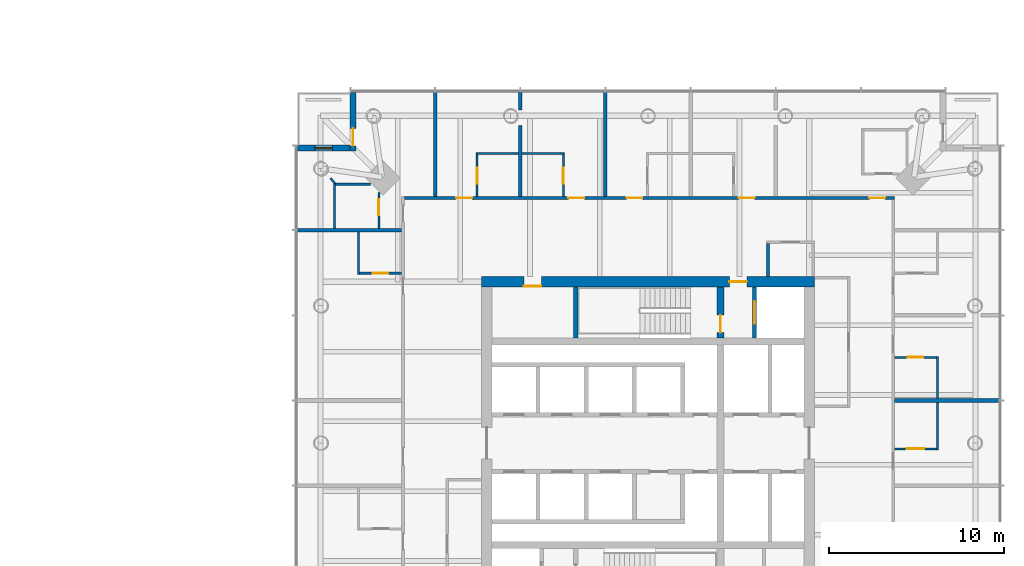
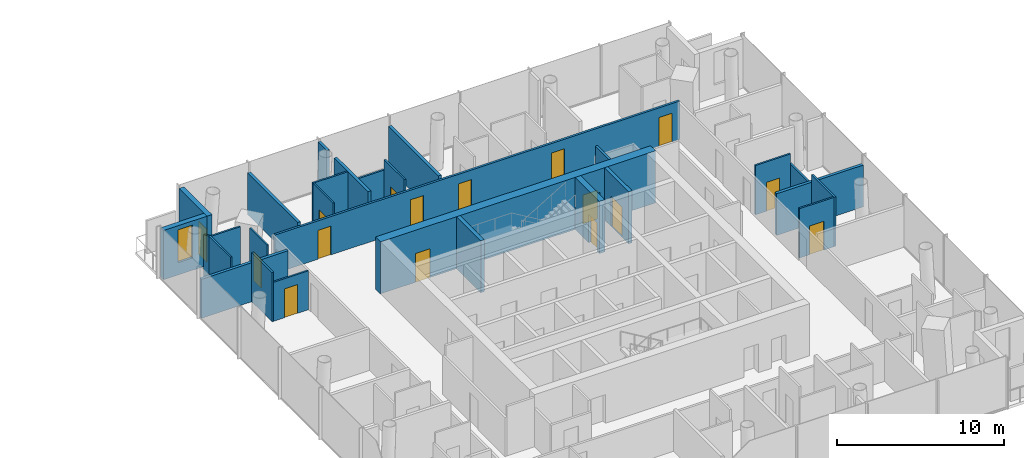
# One storey, part 16 of 20: 28 walls, 16 doors, 1 window, 17 openings.
"""IFC4 building model written with IfcOpenShell, lengths in metres."""

from ifc_helpers import new_model, si_unit, direction, frame, frame_2d, origin, place, context, subcontext, project, spatial, rectangle, extrude, material, layer, layer_set, type_object, element, fill, save


model = new_model("IFC4")

# Units and contexts
model_context = context("Model", 3, precision=1e-05, world=origin(), true_north=direction((0.0, 1.0)))
body_context = subcontext(model_context, "Body", "Model", "MODEL_VIEW")
ifc_project = project(units=[si_unit("LENGTHUNIT", "METRE"), si_unit("AREAUNIT", "SQUARE_METRE"), si_unit("VOLUMEUNIT", "CUBIC_METRE"), si_unit("PLANEANGLEUNIT", "RADIAN"), si_unit("MASSUNIT", "GRAM", prefix="KILO")], contexts=[model_context])

# Site, building, storey
site_placement = place(None, origin())
site = spatial("IfcSite", under=ifc_project, at=site_placement, CompositionType="ELEMENT")
building_placement = place(site_placement, origin())
building = spatial("IfcBuilding", under=site, at=building_placement, Name="Ostroluk Exchange", CompositionType="ELEMENT")
storey_placement = place(building_placement, frame((0.0, 0.0, 28.60009765625)))
storey = spatial("IfcBuildingStorey", under=building, at=storey_placement, Name="L06", CompositionType="ELEMENT", Elevation=28.60009765625)

# Wall, opening, door
ifc_material_1 = material(Name="Concrete C50/60", Category="concrete")
ifc_layer_1 = layer(ifc_material_1, 0.39990234375)
ifc_layer_set_1 = layer_set([ifc_layer_1], Name="Core cross wall 400 C50/60")
wall_type_1 = type_object("IfcWallType", Name="Core cross wall 400 C50/60", PredefinedType="SHEAR", material=ifc_layer_set_1)
wall_1_placement = place(storey_placement, frame((121.1298828125, 52.0, 0.0), z_axis=(0.0, 0.0, 1.0), x_axis=(0.0, 1.0, 0.0)))
wall_1 = element("IfcWall", 1, at=wall_1_placement, inside=storey, type_object=wall_type_1, Name="T2 core wall YE3", PredefinedType="SHEAR", context=body_context, shape_type="SweptSolid", body=[
    extrude(rectangle(XDim=2.89990234375, YDim=0.39990234375, at=frame_2d((1.449951171875, 0.0))), origin(), (0.0, 0.0, 1.0), 3.7998046875),
])
opening_1_placement = place(wall_1_placement, frame((0.300048828125, 0.0, 0.0)))
opening_1 = element("IfcOpeningElement", 2, at=opening_1_placement, cuts=wall_1, Name="Opening FD60", PredefinedType="OPENING", context=body_context, shape_type="SweptSolid", body=[
    extrude(rectangle(XDim=1.0, YDim=2.10009765625, at=frame_2d((0.5, 1.050048828125))), frame((0.0, 0.2099609375, 0.0), z_axis=(0.0, -1.0, 0.0), x_axis=(1.0, 0.0, 0.0)), (0.0, 0.0, 1.0), 0.419921875),
])
ifc_material_2 = material(Name="Steel", Category="steel")
door_type_1 = type_object("IfcDoorType", Name="Fire door EI 60 1000 x 2100", OperationType="SINGLE_SWING_LEFT", PredefinedType="DOOR", material=ifc_material_2)
door_1_placement = place(opening_1_placement, origin())
door_1 = element("IfcDoor", 3, at=door_1_placement, inside=storey, type_object=door_type_1, Name="Stair T2-S2 door", OperationType="SINGLE_SWING_LEFT", OverallHeight=2.10009765625, OverallWidth=1.0, PredefinedType="DOOR", context=body_context, shape_type="SweptSolid", body=[
    extrude(rectangle(XDim=1.0, YDim=2.10009765625, at=frame_2d((0.5, 1.050048828125))), frame((0.0, 0.02490234375, 0.0), z_axis=(0.0, -1.0, 0.0), x_axis=(1.0, 0.0, 0.0)), (0.0, 0.0, 1.0), 0.050048828125),
])
fill(opening_1, door_1)

# Wall
ifc_material_3 = material(Name="Concrete C40/50", Category="concrete")
ifc_layer_2 = layer(ifc_material_3, 0.25)
ifc_layer_set_2 = layer_set([ifc_layer_2], Name="Core shaft wall 250")
wall_type_2 = type_object("IfcWallType", Name="Core shaft wall 250", PredefinedType="SHEAR", material=ifc_layer_set_2)
wall_2_placement = place(storey_placement, frame((112.875, 52.0, 0.0), z_axis=(0.0, 0.0, 1.0), x_axis=(0.0, 1.0, 0.0)))
element("IfcWall", 4, at=wall_2_placement, inside=storey, type_object=wall_type_2, Name="Stair shaft wall", PredefinedType="SHEAR", context=body_context, shape_type="SweptSolid", body=[
    extrude(rectangle(XDim=2.89990234375, YDim=0.25, at=frame_2d((1.449951171875, 0.0))), origin(), (0.0, 0.0, 1.0), 3.7998046875),
])

# Wall, opening, door
wall_3_placement = place(storey_placement, frame((123.074951171875, 52.0, 0.0), z_axis=(0.0, 0.0, 1.0), x_axis=(0.0, 1.0, 0.0)))
wall_3 = element("IfcWall", 5, at=wall_3_placement, inside=storey, type_object=wall_type_2, Name="Firefighting lift shaft wall", PredefinedType="SHEAR", context=body_context, shape_type="SweptSolid", body=[
    extrude(rectangle(XDim=2.89990234375, YDim=0.25, at=frame_2d((1.449951171875, 0.0))), origin(), (0.0, 0.0, 1.0), 3.7998046875),
])
opening_2_placement = place(wall_3_placement, frame((0.800048828125, 0.0, 0.0)))
opening_2 = element("IfcOpeningElement", 6, at=opening_2_placement, cuts=wall_3, Name="Opening LD2", PredefinedType="OPENING", context=body_context, shape_type="SweptSolid", body=[
    extrude(rectangle(XDim=1.300048828125, YDim=2.199951171875, at=frame_2d((0.64990234375, 1.10009765625))), frame((0.0, 0.135009765625, 0.0), z_axis=(0.0, -1.0, 0.0), x_axis=(1.0, 0.0, 0.0)), (0.0, 0.0, 1.0), 0.27001953125),
])
ifc_material_4 = material(Name="Stainless steel", Category="steel")
door_type_2 = type_object("IfcDoorType", Name="Lift landing door E 60 1300 x 2200", OperationType="DOUBLE_DOOR_SLIDING", PredefinedType="DOOR", material=ifc_material_4)
door_2_placement = place(opening_2_placement, origin())
door_2 = element("IfcDoor", 7, at=door_2_placement, inside=storey, type_object=door_type_2, Name="Lift HF2 landing door", OperationType="DOUBLE_DOOR_SLIDING", OverallHeight=2.199951171875, OverallWidth=1.300048828125, PredefinedType="DOOR", context=body_context, shape_type="SweptSolid", body=[
    extrude(rectangle(XDim=1.300048828125, YDim=2.199951171875, at=frame_2d((0.64990234375, 1.10009765625))), frame((0.0, 0.02490234375, 0.0), z_axis=(0.0, -1.0, 0.0), x_axis=(1.0, 0.0, 0.0)), (0.0, 0.0, 1.0), 0.050048828125),
])
fill(opening_2, door_2)

# Wall, openings, doors
ifc_material_5 = material(Name="Concrete C50/60", Category="concrete")
ifc_layer_3 = layer(ifc_material_5, 0.60009765625)
ifc_layer_set_3 = layer_set([ifc_layer_3], Name="Core wall 600 C50/60")
wall_type_3 = type_object("IfcWallType", Name="Core wall 600 C50/60", PredefinedType="SHEAR", material=ifc_layer_set_3)
wall_4_placement = place(storey_placement, frame((107.5, 55.199951171875, 0.0), z_axis=(0.0, 0.0, 1.0), x_axis=(1.0, 0.0, 0.0)))
wall_4 = element("IfcWall", 8, at=wall_4_placement, inside=storey, type_object=wall_type_3, Name="T2 core wall N", PredefinedType="SHEAR", context=body_context, shape_type="SweptSolid", body=[
    extrude(rectangle(XDim=19.0, YDim=0.60009765625, at=frame_2d((9.5, 0.0))), origin(), (0.0, 0.0, 1.0), 3.7998046875),
])
opening_3_placement = place(wall_4_placement, frame((14.139892578125, 0.0, 0.0)))
opening_3 = element("IfcOpeningElement", 9, at=opening_3_placement, cuts=wall_4, Name="Opening FD60", PredefinedType="OPENING", context=body_context, shape_type="SweptSolid", body=[
    extrude(rectangle(XDim=1.0, YDim=2.10009765625, at=frame_2d((0.5, 1.050048828125))), frame((0.0, 0.31005859375, 0.0), z_axis=(0.0, -1.0, 0.0), x_axis=(1.0, 0.0, 0.0)), (0.0, 0.0, 1.0), 0.6201171875),
])
opening_4_placement = place(wall_4_placement, frame((2.425048828125, 0.0, 0.0)))
opening_4 = element("IfcOpeningElement", 10, at=opening_4_placement, cuts=wall_4, Name="Opening FD60", PredefinedType="OPENING", context=body_context, shape_type="SweptSolid", body=[
    extrude(rectangle(XDim=1.0, YDim=2.10009765625, at=frame_2d((0.5, 1.050048828125))), frame((0.0, 0.31005859375, 0.0), z_axis=(0.0, -1.0, 0.0), x_axis=(1.0, 0.0, 0.0)), (0.0, 0.0, 1.0), 0.6201171875),
])
door_3_placement = place(opening_3_placement, origin())
door_3 = element("IfcDoor", 11, at=door_3_placement, inside=storey, type_object=door_type_1, Name="Firefighting lobby door", OperationType="SINGLE_SWING_RIGHT", OverallHeight=2.10009765625, OverallWidth=1.0, PredefinedType="DOOR", context=body_context, shape_type="SweptSolid", body=[
    extrude(rectangle(XDim=1.0, YDim=2.10009765625, at=frame_2d((0.5, 1.050048828125))), frame((0.0, 0.02490234375, 0.0), z_axis=(0.0, -1.0, 0.0), x_axis=(1.0, 0.0, 0.0)), (0.0, 0.0, 1.0), 0.050048828125),
])
fill(opening_3, door_3)
door_4_placement = place(opening_4_placement, origin())
door_4 = element("IfcDoor", 12, at=door_4_placement, inside=storey, type_object=door_type_1, Name="Room-service pantry door", OperationType="SINGLE_SWING_LEFT", OverallHeight=2.10009765625, OverallWidth=1.0, PredefinedType="DOOR", context=body_context, shape_type="SweptSolid", body=[
    extrude(rectangle(XDim=1.0, YDim=2.10009765625, at=frame_2d((0.5, 1.050048828125))), frame((0.0, -0.23974609375, 0.0), z_axis=(0.0, -1.0, 0.0), x_axis=(1.0, 0.0, 0.0)), (0.0, 0.0, 1.0), 0.050048828125),
])
fill(opening_4, door_4)

# Wall, opening, door
ifc_material_6 = material(Name="Limestone", Category="masonry")
ifc_layer_4 = layer(ifc_material_6, 0.35009765625)
ifc_layer_set_4 = layer_set([ifc_layer_4], Name="Limestone facade wall 350")
wall_type_4 = type_object("IfcWallType", Name="Limestone facade wall 350", PredefinedType="SOLIDWALL", material=ifc_layer_set_4)
wall_5_placement = place(storey_placement, frame((100.175048828125, 66.0, 0.0), z_axis=(0.0, 0.0, 1.0), x_axis=(0.0, -1.0, 0.0)))
wall_5 = element("IfcWall", 13, at=wall_5_placement, inside=storey, type_object=wall_type_4, Name="Hotel tower NW corner wall L06 a", PredefinedType="SOLIDWALL", context=body_context, shape_type="SweptSolid", body=[
    extrude(rectangle(XDim=3.35009765625, YDim=0.35009765625, at=frame_2d((1.675048828125, 0.0))), origin(), (0.0, 0.0, 1.0), 3.599853515625),
])
opening_5_placement = place(wall_5_placement, frame((2.050048828125, 0.0, 0.0)))
opening_5 = element("IfcOpeningElement", 14, at=opening_5_placement, cuts=wall_5, Name="Opening D-B1", PredefinedType="OPENING", context=body_context, shape_type="SweptSolid", body=[
    extrude(rectangle(XDim=1.0, YDim=2.39990234375, at=frame_2d((0.5, 1.199951171875))), frame((0.0, 0.18505859375, 0.0), z_axis=(0.0, -1.0, 0.0), x_axis=(1.0, 0.0, 0.0)), (0.0, 0.0, 1.0), 0.3701171875),
])
ifc_material_7 = material(Name="Bronze framed glazed door", Category="aluminium")
door_type_3 = type_object("IfcDoorType", Name="Balcony door 1000 x 2400", OperationType="SINGLE_SWING_LEFT", PredefinedType="DOOR", material=ifc_material_7)
door_5_placement = place(opening_5_placement, origin())
door_5 = element("IfcDoor", 15, at=door_5_placement, inside=storey, type_object=door_type_3, Name="Hotel tower NW balcony door L06", OperationType="SINGLE_SWING_RIGHT", OverallHeight=2.39990234375, OverallWidth=1.0, PredefinedType="DOOR", context=body_context, shape_type="SweptSolid", body=[
    extrude(rectangle(XDim=1.0, YDim=2.39990234375, at=frame_2d((0.5, 1.199951171875))), frame((0.0, 0.02490234375, 0.0), z_axis=(0.0, -1.0, 0.0), x_axis=(1.0, 0.0, 0.0)), (0.0, 0.0, 1.0), 0.050048828125),
])
fill(opening_5, door_5)

# Wall, opening, window
wall_6_placement = place(storey_placement, frame((100.0, 62.824951171875, 0.0), z_axis=(0.0, 0.0, 1.0), x_axis=(-1.0, 0.0, 0.0)))
wall_6 = element("IfcWall", 16, at=wall_6_placement, inside=storey, type_object=wall_type_4, Name="Hotel tower NW corner wall L06 b", PredefinedType="SOLIDWALL", context=body_context, shape_type="SweptSolid", body=[
    extrude(rectangle(XDim=3.0, YDim=0.35009765625, at=frame_2d((1.5, 0.0))), origin(), (0.0, 0.0, 1.0), 3.599853515625),
])
opening_6_placement = place(wall_6_placement, frame((1.0, 0.0, 0.89990234375)))
opening_6 = element("IfcOpeningElement", 17, at=opening_6_placement, cuts=wall_6, Name="Opening WN-L3", PredefinedType="OPENING", context=body_context, shape_type="SweptSolid", body=[
    extrude(rectangle(XDim=1.0, YDim=2.39990234375, at=frame_2d((0.5, 1.199951171875))), frame((0.0, 0.18505859375, 0.0), z_axis=(0.0, -1.0, 0.0), x_axis=(1.0, 0.0, 0.0)), (0.0, 0.0, 1.0), 0.3701171875),
])
ifc_material_8 = material(Name="Laminated clear glass", Category="glass")
window_type = type_object("IfcWindowType", Name="Hotel lancet window 1000 x 2400", PartitioningType="SINGLE_PANEL", PredefinedType="WINDOW", material=ifc_material_8)
window_placement = place(opening_6_placement, origin())
window = element("IfcWindow", 18, at=window_placement, inside=storey, type_object=window_type, Name="Hotel tower NW lancet window L06", OverallHeight=2.39990234375, OverallWidth=1.0, PartitioningType="SINGLE_PANEL", PredefinedType="WINDOW", context=body_context, shape_type="SweptSolid", body=[
    extrude(rectangle(XDim=1.0, YDim=2.39990234375, at=frame_2d((0.5, 1.199951171875))), frame((0.0, 0.030029296875, 0.0), z_axis=(0.0, -1.0, 0.0), x_axis=(1.0, 0.0, 0.0)), (0.0, 0.0, 1.0), 0.06005859375),
])
fill(opening_6, window)

# Wall
ifc_material_9 = material(Name="Gypsum plasterboard partition, moisture resistant", Category="gypsum")
ifc_layer_5 = layer(ifc_material_9, 0.1201171875)
ifc_layer_set_5 = layer_set([ifc_layer_5], Name="Plasterboard en-suite wall 120")
wall_type_5 = type_object("IfcWallType", Name="Plasterboard en-suite wall 120", PredefinedType="PARTITIONING", material=ifc_layer_set_5)
wall_7_placement = place(storey_placement, frame((133.510009765625, 45.608642578125, 0.0), z_axis=(0.0, 0.0, 1.0), x_axis=(0.0, 1.0, 0.0)))
element("IfcWall", 19, at=wall_7_placement, inside=storey, type_object=wall_type_5, Name="En-suite wall", PredefinedType="PARTITIONING", context=body_context, shape_type="SweptSolid", body=[
    extrude(rectangle(XDim=2.719970703125, YDim=0.1201171875, at=frame_2d((1.35986328125, 0.0))), origin(), (0.0, 0.0, 1.0), 3.599853515625),
])

# Wall, opening, door
wall_8_placement = place(storey_placement, frame((131.050048828125, 45.66845703125, 0.0), z_axis=(0.0, 0.0, 1.0), x_axis=(1.0, 0.0, 0.0)))
wall_8 = element("IfcWall", 20, at=wall_8_placement, inside=storey, type_object=wall_type_5, Name="En-suite wall", PredefinedType="PARTITIONING", context=body_context, shape_type="SweptSolid", body=[
    extrude(rectangle(XDim=2.39990234375, YDim=0.1201171875, at=frame_2d((1.199951171875, 0.0))), origin(), (0.0, 0.0, 1.0), 3.599853515625),
])
opening_7_placement = place(wall_8_placement, frame((0.699951171875, 0.0, 0.0)))
opening_7 = element("IfcOpeningElement", 21, at=opening_7_placement, cuts=wall_8, Name="Opening D-03", PredefinedType="OPENING", context=body_context, shape_type="SweptSolid", body=[
    extrude(rectangle(XDim=1.0, YDim=2.10009765625, at=frame_2d((0.5, 1.050048828125))), frame((0.0, 0.070068359375, 0.0), z_axis=(0.0, -1.0, 0.0), x_axis=(1.0, 0.0, 0.0)), (0.0, 0.0, 1.0), 0.14013671875),
])
ifc_material_10 = material(Name="Timber", Category="wood")
door_type_4 = type_object("IfcDoorType", Name="Internal door 1000 x 2100", OperationType="SINGLE_SWING_LEFT", PredefinedType="DOOR", material=ifc_material_10)
door_6_placement = place(opening_7_placement, origin())
door_6 = element("IfcDoor", 22, at=door_6_placement, inside=storey, type_object=door_type_4, Name="En-suite door 603", OperationType="SINGLE_SWING_RIGHT", OverallHeight=2.10009765625, OverallWidth=1.0, PredefinedType="DOOR", context=body_context, shape_type="SweptSolid", body=[
    extrude(rectangle(XDim=1.0, YDim=2.10009765625, at=frame_2d((0.5, 1.050048828125))), frame((0.0, 0.02490234375, 0.0), z_axis=(0.0, -1.0, 0.0), x_axis=(1.0, 0.0, 0.0)), (0.0, 0.0, 1.0), 0.050048828125),
])
fill(opening_7, door_6)

# Wall
wall_9_placement = place(storey_placement, frame((133.510009765625, 48.528564453125, 0.0), z_axis=(0.0, 0.0, 1.0), x_axis=(0.0, 1.0, 0.0)))
element("IfcWall", 23, at=wall_9_placement, inside=storey, type_object=wall_type_5, Name="En-suite wall", PredefinedType="PARTITIONING", context=body_context, shape_type="SweptSolid", body=[
    extrude(rectangle(XDim=2.419921875, YDim=0.1201171875, at=frame_2d((1.2099609375, 0.0))), origin(), (0.0, 0.0, 1.0), 2.846923828125),
])

# Wall, opening, door
wall_10_placement = place(storey_placement, frame((131.050048828125, 50.888671875, 0.0), z_axis=(0.0, 0.0, 1.0), x_axis=(1.0, 0.0, 0.0)))
wall_10 = element("IfcWall", 24, at=wall_10_placement, inside=storey, type_object=wall_type_5, Name="En-suite wall", PredefinedType="PARTITIONING", context=body_context, shape_type="SweptSolid", body=[
    extrude(rectangle(XDim=2.39990234375, YDim=0.1201171875, at=frame_2d((1.199951171875, 0.0))), origin(), (0.0, 0.0, 1.0), 3.599853515625),
])
opening_8_placement = place(wall_10_placement, frame((0.75, 0.0, 0.0)))
opening_8 = element("IfcOpeningElement", 25, at=opening_8_placement, cuts=wall_10, Name="Opening D-02", PredefinedType="OPENING", context=body_context, shape_type="SweptSolid", body=[
    extrude(rectangle(XDim=0.89990234375, YDim=2.10009765625, at=frame_2d((0.449951171875, 1.050048828125))), frame((0.0, 0.070068359375, 0.0), z_axis=(0.0, -1.0, 0.0), x_axis=(1.0, 0.0, 0.0)), (0.0, 0.0, 1.0), 0.14013671875),
])
ifc_material_11 = material(Name="Timber", Category="wood")
door_type_5 = type_object("IfcDoorType", Name="En-suite door 900 x 2100", OperationType="SINGLE_SWING_LEFT", PredefinedType="DOOR", material=ifc_material_11)
door_7_placement = place(opening_8_placement, origin())
door_7 = element("IfcDoor", 26, at=door_7_placement, inside=storey, type_object=door_type_5, Name="En-suite door 604", OperationType="SINGLE_SWING_RIGHT", OverallHeight=2.10009765625, OverallWidth=0.89990234375, PredefinedType="DOOR", context=body_context, shape_type="SweptSolid", body=[
    extrude(rectangle(XDim=0.89990234375, YDim=2.10009765625, at=frame_2d((0.449951171875, 1.050048828125))), frame((0.0, 0.02490234375, 0.0), z_axis=(0.0, -1.0, 0.0), x_axis=(1.0, 0.0, 0.0)), (0.0, 0.0, 1.0), 0.050048828125),
])
fill(opening_8, door_7)

# Wall
wall_11_placement = place(storey_placement, frame((112.234375, 62.510009765625, 0.0), z_axis=(0.0, 0.0, 1.0), x_axis=(-1.0, 0.0, 0.0)))
element("IfcWall", 27, at=wall_11_placement, inside=storey, type_object=wall_type_5, Name="En-suite wall", PredefinedType="PARTITIONING", context=body_context, shape_type="SweptSolid", body=[
    extrude(rectangle(XDim=2.420166015625, YDim=0.1201171875, at=frame_2d((1.2099609375, 0.0))), origin(), (0.0, 0.0, 1.0), 2.846923828125),
])

# Wall, opening, door
wall_12_placement = place(storey_placement, frame((112.17431640625, 60.050048828125, 0.0), z_axis=(0.0, 0.0, 1.0), x_axis=(0.0, 1.0, 0.0)))
wall_12 = element("IfcWall", 28, at=wall_12_placement, inside=storey, type_object=wall_type_5, Name="En-suite wall", PredefinedType="PARTITIONING", context=body_context, shape_type="SweptSolid", body=[
    extrude(rectangle(XDim=2.39990234375, YDim=0.1201171875, at=frame_2d((1.199951171875, 0.0))), origin(), (0.0, 0.0, 1.0), 3.599853515625),
])
opening_9_placement = place(wall_12_placement, frame((0.75, 0.0, 0.0)))
opening_9 = element("IfcOpeningElement", 29, at=opening_9_placement, cuts=wall_12, Name="Opening D-02", PredefinedType="OPENING", context=body_context, shape_type="SweptSolid", body=[
    extrude(rectangle(XDim=0.89990234375, YDim=2.10009765625, at=frame_2d((0.449951171875, 1.050048828125))), frame((0.0, 0.070068359375, 0.0), z_axis=(0.0, -1.0, 0.0), x_axis=(1.0, 0.0, 0.0)), (0.0, 0.0, 1.0), 0.14013671875),
])
door_8_placement = place(opening_9_placement, origin())
door_8 = element("IfcDoor", 30, at=door_8_placement, inside=storey, type_object=door_type_5, Name="En-suite door 609", OperationType="SINGLE_SWING_LEFT", OverallHeight=2.10009765625, OverallWidth=0.89990234375, PredefinedType="DOOR", context=body_context, shape_type="SweptSolid", body=[
    extrude(rectangle(XDim=0.89990234375, YDim=2.10009765625, at=frame_2d((0.449951171875, 1.050048828125))), frame((0.0, 0.02490234375, 0.0), z_axis=(0.0, -1.0, 0.0), x_axis=(1.0, 0.0, 0.0)), (0.0, 0.0, 1.0), 0.050048828125),
])
fill(opening_9, door_8)

# Wall
wall_13_placement = place(storey_placement, frame((109.6142578125, 62.510009765625, 0.0), z_axis=(0.0, 0.0, 1.0), x_axis=(-1.0, 0.0, 0.0)))
element("IfcWall", 31, at=wall_13_placement, inside=storey, type_object=wall_type_5, Name="En-suite wall", PredefinedType="PARTITIONING", context=body_context, shape_type="SweptSolid", body=[
    extrude(rectangle(XDim=2.419921875, YDim=0.1201171875, at=frame_2d((1.2099609375, 0.0))), origin(), (0.0, 0.0, 1.0), 3.599853515625),
])

# Wall, opening, door
wall_14_placement = place(storey_placement, frame((107.25439453125, 60.050048828125, 0.0), z_axis=(0.0, 0.0, 1.0), x_axis=(0.0, 1.0, 0.0)))
wall_14 = element("IfcWall", 32, at=wall_14_placement, inside=storey, type_object=wall_type_5, Name="En-suite wall", PredefinedType="PARTITIONING", context=body_context, shape_type="SweptSolid", body=[
    extrude(rectangle(XDim=2.39990234375, YDim=0.1201171875, at=frame_2d((1.199951171875, 0.0))), origin(), (0.0, 0.0, 1.0), 3.599853515625),
])
opening_10_placement = place(wall_14_placement, frame((0.75, 0.0, 0.0)))
opening_10 = element("IfcOpeningElement", 33, at=opening_10_placement, cuts=wall_14, Name="Opening D-02", PredefinedType="OPENING", context=body_context, shape_type="SweptSolid", body=[
    extrude(rectangle(XDim=0.89990234375, YDim=2.10009765625, at=frame_2d((0.449951171875, 1.050048828125))), frame((0.0, 0.070068359375, 0.0), z_axis=(0.0, -1.0, 0.0), x_axis=(1.0, 0.0, 0.0)), (0.0, 0.0, 1.0), 0.14013671875),
])
door_9_placement = place(opening_10_placement, origin())
door_9 = element("IfcDoor", 34, at=door_9_placement, inside=storey, type_object=door_type_5, Name="En-suite door 610", OperationType="SINGLE_SWING_LEFT", OverallHeight=2.10009765625, OverallWidth=0.89990234375, PredefinedType="DOOR", context=body_context, shape_type="SweptSolid", body=[
    extrude(rectangle(XDim=0.89990234375, YDim=2.10009765625, at=frame_2d((0.449951171875, 1.050048828125))), frame((0.0, 0.02490234375, 0.0), z_axis=(0.0, -1.0, 0.0), x_axis=(1.0, 0.0, 0.0)), (0.0, 0.0, 1.0), 0.050048828125),
])
fill(opening_10, door_9)

wall_15_placement = place(storey_placement, frame((101.64990234375, 58.242919921875, 0.0), z_axis=(0.0, 0.0, 1.0), x_axis=(0.0, 1.0, 0.0)))
wall_15 = element("IfcWall", 35, at=wall_15_placement, inside=storey, type_object=wall_type_5, Name="En-suite wall", PredefinedType="PARTITIONING", context=body_context, shape_type="SweptSolid", body=[
    extrude(rectangle(XDim=2.05712890625, YDim=0.1201171875, at=frame_2d((1.028564453125, 0.0))), origin(), (0.0, 0.0, 1.0), 3.599853515625),
])
opening_11_placement = place(wall_15_placement, frame((0.75, 0.0, 0.0)))
opening_11 = element("IfcOpeningElement", 36, at=opening_11_placement, cuts=wall_15, Name="Opening D-02", PredefinedType="OPENING", context=body_context, shape_type="SweptSolid", body=[
    extrude(rectangle(XDim=0.89990234375, YDim=2.10009765625, at=frame_2d((0.449951171875, 1.050048828125))), frame((0.0, 0.070068359375, 0.0), z_axis=(0.0, -1.0, 0.0), x_axis=(1.0, 0.0, 0.0)), (0.0, 0.0, 1.0), 0.14013671875),
])
door_10_placement = place(opening_11_placement, origin())
door_10 = element("IfcDoor", 37, at=door_10_placement, inside=storey, type_object=door_type_5, Name="En-suite door 611", OperationType="SINGLE_SWING_RIGHT", OverallHeight=2.10009765625, OverallWidth=0.89990234375, PredefinedType="DOOR", context=body_context, shape_type="SweptSolid", body=[
    extrude(rectangle(XDim=0.89990234375, YDim=2.10009765625, at=frame_2d((0.449951171875, 1.050048828125))), frame((0.0, 0.02490234375, 0.0), z_axis=(0.0, -1.0, 0.0), x_axis=(1.0, 0.0, 0.0)), (0.0, 0.0, 1.0), 0.050048828125),
])
fill(opening_11, door_10)

# Walls
wall_16_placement = place(storey_placement, frame((99.1298828125, 58.242919921875, 0.0), z_axis=(0.0, 0.0, 1.0), x_axis=(0.0, 1.0, 0.0)))
element("IfcWall", 38, at=wall_16_placement, inside=storey, type_object=wall_type_5, Name="En-suite wall", PredefinedType="PARTITIONING", context=body_context, shape_type="SweptSolid", body=[
    extrude(rectangle(XDim=2.579833984375, YDim=0.1201171875, at=frame_2d((1.2900390625, 0.0))), origin(), (0.0, 0.0, 1.0), 3.599853515625),
])
wall_17_placement = place(storey_placement, frame((101.187255859375, 60.762939453125, 0.0), z_axis=(0.0, 0.0, 1.0), x_axis=(-1.0, 0.0, 0.0)))
element("IfcWall", 39, at=wall_17_placement, inside=storey, type_object=wall_type_5, Name="En-suite wall", PredefinedType="PARTITIONING", context=body_context, shape_type="SweptSolid", body=[
    extrude(rectangle(XDim=1.997314453125, YDim=0.1201171875, at=frame_2d((0.99853515625, 0.0))), origin(), (0.0, 0.0, 1.0), 3.599853515625),
])
wall_18_placement = place(storey_placement, frame((100.489990234375, 58.04296875, 0.0), z_axis=(0.0, 0.0, 1.0), x_axis=(0.0, -1.0, 0.0)))
element("IfcWall", 40, at=wall_18_placement, inside=storey, type_object=wall_type_5, Name="En-suite wall", PredefinedType="PARTITIONING", context=body_context, shape_type="SweptSolid", body=[
    extrude(rectangle(XDim=2.420166015625, YDim=0.1201171875, at=frame_2d((1.2099609375, 0.0))), origin(), (0.0, 0.0, 1.0), 3.599853515625),
])

# Wall, opening, door
wall_19_placement = place(storey_placement, frame((102.949951171875, 55.682861328125, 0.0), z_axis=(0.0, 0.0, 1.0), x_axis=(-1.0, 0.0, 0.0)))
wall_19 = element("IfcWall", 41, at=wall_19_placement, inside=storey, type_object=wall_type_5, Name="En-suite wall", PredefinedType="PARTITIONING", context=body_context, shape_type="SweptSolid", body=[
    extrude(rectangle(XDim=2.39990234375, YDim=0.1201171875, at=frame_2d((1.199951171875, 0.0))), origin(), (0.0, 0.0, 1.0), 2.846923828125),
])
opening_12_placement = place(wall_19_placement, frame((0.75, 0.0, 0.0)))
opening_12 = element("IfcOpeningElement", 42, at=opening_12_placement, cuts=wall_19, Name="Opening D-02", PredefinedType="OPENING", context=body_context, shape_type="SweptSolid", body=[
    extrude(rectangle(XDim=0.89990234375, YDim=2.10009765625, at=frame_2d((0.449951171875, 1.050048828125))), frame((0.0, 0.070068359375, 0.0), z_axis=(0.0, -1.0, 0.0), x_axis=(1.0, 0.0, 0.0)), (0.0, 0.0, 1.0), 0.14013671875),
])
door_11_placement = place(opening_12_placement, origin())
door_11 = element("IfcDoor", 43, at=door_11_placement, inside=storey, type_object=door_type_5, Name="En-suite door 612", OperationType="SINGLE_SWING_LEFT", OverallHeight=2.10009765625, OverallWidth=0.89990234375, PredefinedType="DOOR", context=body_context, shape_type="SweptSolid", body=[
    extrude(rectangle(XDim=0.89990234375, YDim=2.10009765625, at=frame_2d((0.449951171875, 1.050048828125))), frame((0.0, 0.02490234375, 0.0), z_axis=(0.0, -1.0, 0.0), x_axis=(1.0, 0.0, 0.0)), (0.0, 0.0, 1.0), 0.050048828125),
])
fill(opening_12, door_11)

# Walls
wall_20_placement = place(storey_placement, frame((99.1298828125, 60.82275390625, 0.0), z_axis=(0.0, 0.0, 1.0), x_axis=(-0.638860529582, 0.76932257457, 0.0)))
element("IfcWall", 44, at=wall_20_placement, inside=storey, type_object=wall_type_5, Name="En-suite wall", PredefinedType="PARTITIONING", context=body_context, shape_type="SweptSolid", body=[
    extrude(rectangle(XDim=0.363037109375, YDim=0.1201171875, at=frame_2d((0.181640625, 0.0))), origin(), (0.0, 0.0, 1.0), 3.599853515625),
])
ifc_material_12 = material(Name="Gypsum plasterboard partition", Category="gypsum")
ifc_layer_6 = layer(ifc_material_12, 0.14990234375)
ifc_layer_set_6 = layer_set([ifc_layer_6], Name="Plasterboard partition 150")
wall_type_6 = type_object("IfcWallType", Name="Plasterboard partition 150", PredefinedType="PARTITIONING", material=ifc_layer_set_6)
wall_21_placement = place(storey_placement, frame((123.840087890625, 55.5, 0.0), z_axis=(0.0, 0.0, 1.0), x_axis=(0.0, 1.0, 0.0)))
element("IfcWall", 45, at=wall_21_placement, inside=storey, type_object=wall_type_6, Name="Partition", PredefinedType="PARTITIONING", context=body_context, shape_type="SweptSolid", body=[
    extrude(rectangle(XDim=1.875, YDim=0.14990234375, at=frame_2d((0.9375, 0.0))), origin(), (0.0, 0.0, 1.0), 3.599853515625),
])

# Wall, openings, doors
wall_22_placement = place(storey_placement, frame((131.050048828125, 59.97509765625, 0.0), z_axis=(0.0, 0.0, 1.0), x_axis=(-1.0, 0.0, 0.0)))
wall_22 = element("IfcWall", 46, at=wall_22_placement, inside=storey, type_object=wall_type_6, Name="Corridor wall", PredefinedType="PARTITIONING", context=body_context, shape_type="SweptSolid", body=[
    extrude(rectangle(XDim=27.949951171875, YDim=0.14990234375, at=frame_2d((13.97509765625, 0.0))), origin(), (0.0, 0.0, 1.0), 2.7998046875),
])
opening_13_placement = place(wall_22_placement, frame((0.528564453125, 0.0, 0.0)))
opening_13 = element("IfcOpeningElement", 47, at=opening_13_placement, cuts=wall_22, Name="Opening D-01", PredefinedType="OPENING", context=body_context, shape_type="SweptSolid", body=[
    extrude(rectangle(XDim=0.89990234375, YDim=2.10009765625, at=frame_2d((0.449951171875, 1.050048828125))), frame((0.0, 0.0849609375, 0.0), z_axis=(0.0, -1.0, 0.0), x_axis=(1.0, 0.0, 0.0)), (0.0, 0.0, 1.0), 0.169921875),
])
opening_14_placement = place(wall_22_placement, frame((7.971435546875, 0.0, 0.0)))
opening_14 = element("IfcOpeningElement", 48, at=opening_14_placement, cuts=wall_22, Name="Opening D-01", PredefinedType="OPENING", context=body_context, shape_type="SweptSolid", body=[
    extrude(rectangle(XDim=0.89990234375, YDim=2.10009765625, at=frame_2d((0.449951171875, 1.050048828125))), frame((0.0, 0.0849609375, 0.0), z_axis=(0.0, -1.0, 0.0), x_axis=(1.0, 0.0, 0.0)), (0.0, 0.0, 1.0), 0.169921875),
])
opening_15_placement = place(wall_22_placement, frame((14.371337890625, 0.0, 0.0)))
opening_15 = element("IfcOpeningElement", 49, at=opening_15_placement, cuts=wall_22, Name="Opening D-01", PredefinedType="OPENING", context=body_context, shape_type="SweptSolid", body=[
    extrude(rectangle(XDim=0.89990234375, YDim=2.10009765625, at=frame_2d((0.449951171875, 1.050048828125))), frame((0.0, 0.0849609375, 0.0), z_axis=(0.0, -1.0, 0.0), x_axis=(1.0, 0.0, 0.0)), (0.0, 0.0, 1.0), 0.169921875),
])
opening_16_placement = place(wall_22_placement, frame((17.685791015625, 0.0, 0.0)))
opening_16 = element("IfcOpeningElement", 50, at=opening_16_placement, cuts=wall_22, Name="Opening D-01", PredefinedType="OPENING", context=body_context, shape_type="SweptSolid", body=[
    extrude(rectangle(XDim=0.89990234375, YDim=2.10009765625, at=frame_2d((0.449951171875, 1.050048828125))), frame((0.0, 0.0849609375, 0.0), z_axis=(0.0, -1.0, 0.0), x_axis=(1.0, 0.0, 0.0)), (0.0, 0.0, 1.0), 0.169921875),
])
opening_17_placement = place(wall_22_placement, frame((24.085693359375, 0.0, 0.0)))
opening_17 = element("IfcOpeningElement", 51, at=opening_17_placement, cuts=wall_22, Name="Opening D-01", PredefinedType="OPENING", context=body_context, shape_type="SweptSolid", body=[
    extrude(rectangle(XDim=0.89990234375, YDim=2.10009765625, at=frame_2d((0.449951171875, 1.050048828125))), frame((0.0, 0.0849609375, 0.0), z_axis=(0.0, -1.0, 0.0), x_axis=(1.0, 0.0, 0.0)), (0.0, 0.0, 1.0), 0.169921875),
])
ifc_material_13 = material(Name="Timber", Category="wood")
door_type_6 = type_object("IfcDoorType", Name="Hotel room door EI 30 Sa 900 x 2100", OperationType="SINGLE_SWING_LEFT", PredefinedType="DOOR", material=ifc_material_13)
door_12_placement = place(opening_13_placement, origin())
door_12 = element("IfcDoor", 52, at=door_12_placement, inside=storey, type_object=door_type_6, Name="Room door 606", OperationType="SINGLE_SWING_LEFT", OverallHeight=2.10009765625, OverallWidth=0.89990234375, PredefinedType="DOOR", context=body_context, shape_type="SweptSolid", body=[
    extrude(rectangle(XDim=0.89990234375, YDim=2.10009765625, at=frame_2d((0.449951171875, 1.050048828125))), frame((0.0, 0.02490234375, 0.0), z_axis=(0.0, -1.0, 0.0), x_axis=(1.0, 0.0, 0.0)), (0.0, 0.0, 1.0), 0.050048828125),
])
fill(opening_13, door_12)
door_13_placement = place(opening_14_placement, origin())
door_13 = element("IfcDoor", 53, at=door_13_placement, inside=storey, type_object=door_type_6, Name="Room door 607", OperationType="SINGLE_SWING_LEFT", OverallHeight=2.10009765625, OverallWidth=0.89990234375, PredefinedType="DOOR", context=body_context, shape_type="SweptSolid", body=[
    extrude(rectangle(XDim=0.89990234375, YDim=2.10009765625, at=frame_2d((0.449951171875, 1.050048828125))), frame((0.0, 0.02490234375, 0.0), z_axis=(0.0, -1.0, 0.0), x_axis=(1.0, 0.0, 0.0)), (0.0, 0.0, 1.0), 0.050048828125),
])
fill(opening_14, door_13)
door_14_placement = place(opening_15_placement, origin())
door_14 = element("IfcDoor", 54, at=door_14_placement, inside=storey, type_object=door_type_6, Name="Room door 608", OperationType="SINGLE_SWING_RIGHT", OverallHeight=2.10009765625, OverallWidth=0.89990234375, PredefinedType="DOOR", context=body_context, shape_type="SweptSolid", body=[
    extrude(rectangle(XDim=0.89990234375, YDim=2.10009765625, at=frame_2d((0.449951171875, 1.050048828125))), frame((0.0, 0.02490234375, 0.0), z_axis=(0.0, -1.0, 0.0), x_axis=(1.0, 0.0, 0.0)), (0.0, 0.0, 1.0), 0.050048828125),
])
fill(opening_15, door_14)
door_15_placement = place(opening_16_placement, origin())
door_15 = element("IfcDoor", 55, at=door_15_placement, inside=storey, type_object=door_type_6, Name="Room door 609", OperationType="SINGLE_SWING_RIGHT", OverallHeight=2.10009765625, OverallWidth=0.89990234375, PredefinedType="DOOR", context=body_context, shape_type="SweptSolid", body=[
    extrude(rectangle(XDim=0.89990234375, YDim=2.10009765625, at=frame_2d((0.449951171875, 1.050048828125))), frame((0.0, 0.02490234375, 0.0), z_axis=(0.0, -1.0, 0.0), x_axis=(1.0, 0.0, 0.0)), (0.0, 0.0, 1.0), 0.050048828125),
])
fill(opening_16, door_15)
door_16_placement = place(opening_17_placement, origin())
door_16 = element("IfcDoor", 56, at=door_16_placement, inside=storey, type_object=door_type_6, Name="Room door 610", OperationType="SINGLE_SWING_RIGHT", OverallHeight=2.10009765625, OverallWidth=0.89990234375, PredefinedType="DOOR", context=body_context, shape_type="SweptSolid", body=[
    extrude(rectangle(XDim=0.89990234375, YDim=2.10009765625, at=frame_2d((0.449951171875, 1.050048828125))), frame((0.0, 0.02490234375, 0.0), z_axis=(0.0, -1.0, 0.0), x_axis=(1.0, 0.0, 0.0)), (0.0, 0.0, 1.0), 0.050048828125),
])
fill(opening_17, door_16)

# Walls
ifc_material_14 = material(Name="Gypsum plasterboard partition", Category="gypsum")
ifc_layer_7 = layer(ifc_material_14, 0.199951171875)
ifc_layer_set_7 = layer_set([ifc_layer_7], Name="Plasterboard party wall 200")
wall_type_7 = type_object("IfcWallType", Name="Plasterboard party wall 200", PredefinedType="PARTITIONING", material=ifc_layer_set_7)
for number, where, z_axis, x_axis, name in (
    (57, (131.050048828125, 48.428466796875, 0.0), (0.0, 0.0, 1.0), (1.0, 0.0, 0.0), "Party wall"),
    (58, (114.571533203125, 60.050048828125, 0.0), (0.0, 0.0, 1.0), (0.0, 1.0, 0.0), "Party wall"),
):
    element("IfcWall", number, at=place(storey_placement, frame(where, z_axis=z_axis, x_axis=x_axis)), inside=storey, type_object=wall_type_7, Name=name, PredefinedType="PARTITIONING", context=body_context, shape_type="SweptSolid", body=[
        extrude(rectangle(XDim=5.989990234375, YDim=0.199951171875, at=frame_2d((2.9951171875, 0.0))), origin(), (0.0, 0.0, 1.0), 3.0498046875),
    ])
wall_23_placement = place(storey_placement, frame((109.71435546875, 60.050048828125, 0.0), z_axis=(0.0, 0.0, 1.0), x_axis=(0.0, 1.0, 0.0)))
element("IfcWall", 59, at=wall_23_placement, inside=storey, type_object=wall_type_7, Name="Party wall", PredefinedType="PARTITIONING", context=body_context, shape_type="SweptSolid", body=[
    extrude(rectangle(XDim=4.052001953125, YDim=0.199951171875, at=frame_2d((2.02587890625, 0.0))), origin(), (0.0, 0.0, 1.0), 3.599853515625),
])
wall_24_placement = place(storey_placement, frame((109.71435546875, 64.990966796875, 0.0), z_axis=(0.0, 0.0, 1.0), x_axis=(0.0, 1.0, 0.0)))
element("IfcWall", 60, at=wall_24_placement, inside=storey, type_object=wall_type_7, Name="Party wall", PredefinedType="PARTITIONING", context=body_context, shape_type="SweptSolid", body=[
    extrude(rectangle(XDim=1.049072265625, YDim=0.199951171875, at=frame_2d((0.5244140625, 0.0))), origin(), (0.0, 0.0, 1.0), 3.599853515625),
])
wall_25_placement = place(storey_placement, frame((104.857177734375, 60.050048828125, 0.0), z_axis=(0.0, 0.0, 1.0), x_axis=(0.0, 1.0, 0.0)))
element("IfcWall", 61, at=wall_25_placement, inside=storey, type_object=wall_type_7, Name="Party wall", PredefinedType="PARTITIONING", context=body_context, shape_type="SweptSolid", body=[
    extrude(rectangle(XDim=5.989990234375, YDim=0.199951171875, at=frame_2d((2.9951171875, 0.0))), origin(), (0.0, 0.0, 1.0), 3.0498046875),
])
wall_26_placement = place(storey_placement, frame((102.949951171875, 58.142822265625, 0.0), z_axis=(0.0, 0.0, 1.0), x_axis=(-1.0, 0.0, 0.0)))
element("IfcWall", 62, at=wall_26_placement, inside=storey, type_object=wall_type_7, Name="Party wall", PredefinedType="PARTITIONING", context=body_context, shape_type="SweptSolid", body=[
    extrude(rectangle(XDim=5.989990234375, YDim=0.199951171875, at=frame_2d((2.9951171875, 0.0))), origin(), (0.0, 0.0, 1.0), 2.846923828125),
])

save(model, "model.ifc")
